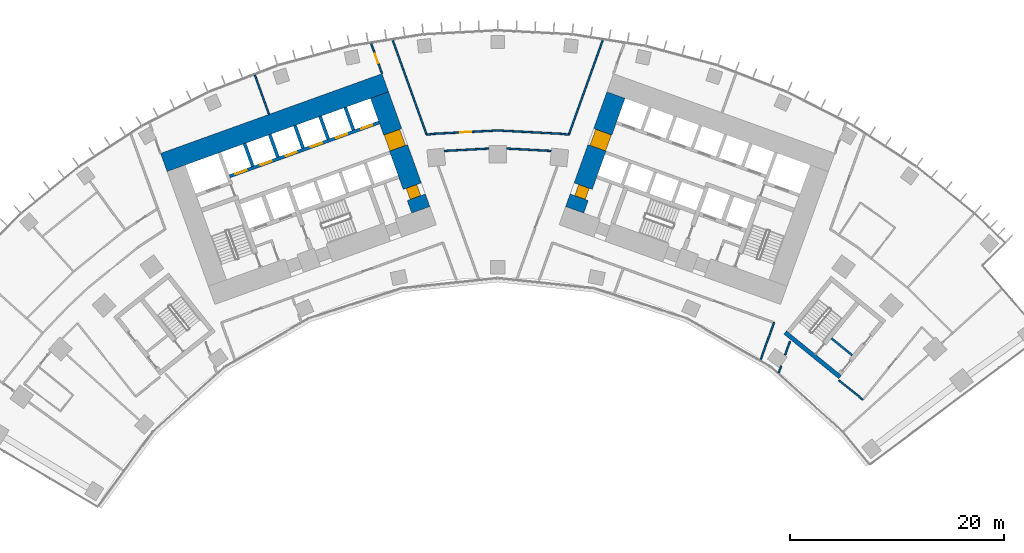
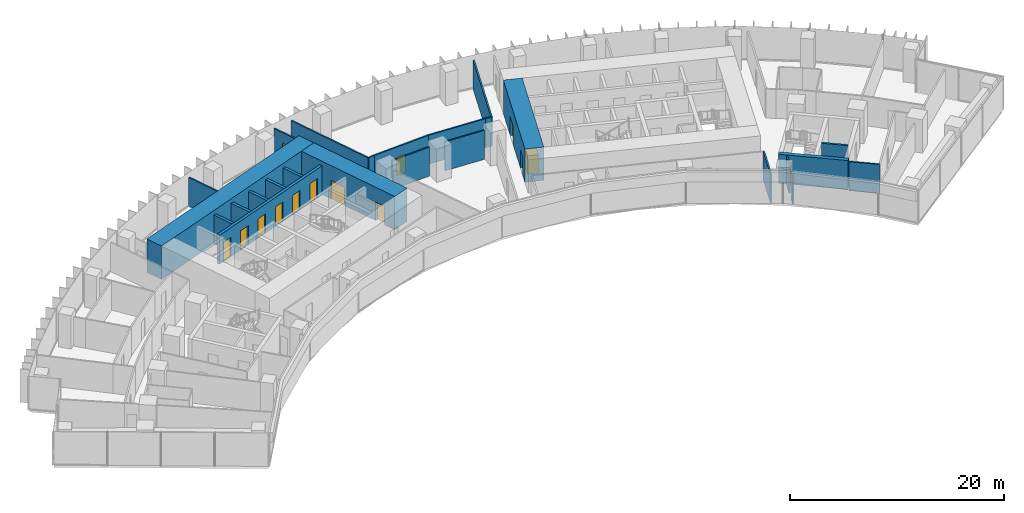
# One storey, part 19 of 24: 25 walls, 12 doors, 12 openings.
"""IFC4 building model written with IfcOpenShell, lengths in metres."""

from ifc_helpers import new_model, si_unit, direction, frame, frame_2d, origin, place, context, subcontext, project, spatial, rectangle, extrude, material, layer, layer_set, type_object, element, fill, save


model = new_model("IFC4")

# Units and contexts
model_context = context("Model", 3, precision=1e-05, world=origin(), true_north=direction((0.0, 1.0)))
body_context = subcontext(model_context, "Body", "Model", "MODEL_VIEW")
ifc_project = project(units=[si_unit("LENGTHUNIT", "METRE"), si_unit("AREAUNIT", "SQUARE_METRE"), si_unit("VOLUMEUNIT", "CUBIC_METRE"), si_unit("PLANEANGLEUNIT", "RADIAN"), si_unit("MASSUNIT", "GRAM", prefix="KILO")], contexts=[model_context])

# Site, building, storey
site_placement = place(None, origin())
site = spatial("IfcSite", under=ifc_project, at=site_placement, CompositionType="ELEMENT")
building_placement = place(site_placement, origin())
building = spatial("IfcBuilding", under=site, at=building_placement, Name="Stone Belt Terrace Tower", CompositionType="ELEMENT")
storey_placement = place(building_placement, frame((0.0, 0.0, 75.60009765625)))
storey = spatial("IfcBuildingStorey", under=building, at=storey_placement, Name="L18", CompositionType="ELEMENT", Elevation=75.60009765625)

# Wall
ifc_material_1 = material(Name="Concrete B80", Category="concrete")
ifc_layer_1 = layer(ifc_material_1, 1.800048828125)
ifc_layer_set_1 = layer_set([ifc_layer_1], Name="Core wall 1800 B80")
wall_type_1 = type_object("IfcWallType", Name="Core wall 1800 B80", PredefinedType="SHEAR", material=ifc_layer_set_1)
wall_1_placement = place(storey_placement, frame((-31.20947265625, 54.23583984375, 0.0), z_axis=(0.0, 0.0, 1.0), x_axis=(0.940922914687, 0.338620833112, 0.0)))
element("IfcWall", 1, at=wall_1_placement, inside=storey, type_object=wall_type_1, Name="Core A wall convex L18", PredefinedType="SHEAR", context=body_context, shape_type="SweptSolid", body=[
    extrude(rectangle(XDim=22.000244140625, YDim=1.800048828125, at=frame_2d((11.0, 0.0))), origin(), (0.0, 0.0, 1.0), 3.7998046875),
])

# Wall, openings, doors
wall_2_placement = place(storey_placement, frame((-7.19091796875, 49.8076171875, 0.0), z_axis=(0.0, 0.0, 1.0), x_axis=(-0.338632255135, 0.940918804033, 0.0)))
wall_2 = element("IfcWall", 2, at=wall_2_placement, inside=storey, type_object=wall_type_1, Name="Core A wall end_b L18", PredefinedType="SHEAR", context=body_context, shape_type="SweptSolid", body=[
    extrude(rectangle(XDim=11.39990234375, YDim=1.800048828125, at=frame_2d((5.699951171875, 0.0))), origin(), (0.0, 0.0, 1.0), 3.7998046875),
])
opening_1_placement = place(wall_2_placement, frame((6.14990234375, 0.0, 0.0)))
opening_1 = element("IfcOpeningElement", 3, at=opening_1_placement, cuts=wall_2, Name="Opening L18-C02", PredefinedType="OPENING", context=body_context, shape_type="SweptSolid", body=[
    extrude(rectangle(XDim=1.60009765625, YDim=2.10009765625, at=frame_2d((0.800048828125, 1.050048828125))), frame((0.0, 0.909912109375, 0.0), z_axis=(0.0, -1.0, 0.0), x_axis=(1.0, 0.0, 0.0)), (0.0, 0.0, 1.0), 1.820068359375),
])
opening_2_placement = place(wall_2_placement, frame((1.25, 0.0, 0.0)))
opening_2 = element("IfcOpeningElement", 4, at=opening_2_placement, cuts=wall_2, Name="Opening L18-C08", PredefinedType="OPENING", context=body_context, shape_type="SweptSolid", body=[
    extrude(rectangle(XDim=1.10009765625, YDim=2.10009765625, at=frame_2d((0.550048828125, 1.050048828125))), frame((0.0, 0.909912109375, 0.0), z_axis=(0.0, -1.0, 0.0), x_axis=(1.0, 0.0, 0.0)), (0.0, 0.0, 1.0), 1.820068359375),
])
ifc_material_2 = material(Name="Timber door leaf", Category="wood")
door_type_1 = type_object("IfcDoorType", Name="Core room door 1100", OperationType="SINGLE_SWING_LEFT", PredefinedType="DOOR", material=ifc_material_2)
door_1_placement = place(opening_2_placement, origin())
door_1 = element("IfcDoor", 5, at=door_1_placement, inside=storey, type_object=door_type_1, Name="Door to Cleaner's store core A", OperationType="SINGLE_SWING_LEFT", OverallHeight=2.10009765625, OverallWidth=1.10009765625, PredefinedType="DOOR", context=body_context, shape_type="SweptSolid", body=[
    extrude(rectangle(XDim=1.10009765625, YDim=2.10009765625, at=frame_2d((0.550048828125, 1.050048828125))), frame((0.0, 0.60498046875, 0.0), z_axis=(0.0, -1.0, 0.0), x_axis=(1.0, 0.0, 0.0)), (0.0, 0.0, 1.0), 1.050048828125),
])
fill(opening_2, door_1)
ifc_material_3 = material(Name="Glazed aluminium door leaf", Category="aluminium")
door_type_2 = type_object("IfcDoorType", Name="Lift lobby entrance door 1600", OperationType="DOUBLE_DOOR_SINGLE_SWING", PredefinedType="DOOR", material=ifc_material_3)
door_2_placement = place(opening_1_placement, origin())
door_2 = element("IfcDoor", 6, at=door_2_placement, inside=storey, type_object=door_type_2, Name="Lift lobby entrance door core A", OperationType="DOUBLE_DOOR_SINGLE_SWING", OverallHeight=2.10009765625, OverallWidth=1.60009765625, PredefinedType="DOOR", context=body_context, shape_type="SweptSolid", body=[
    extrude(rectangle(XDim=1.60009765625, YDim=2.10009765625, at=frame_2d((0.800048828125, 1.050048828125))), frame((0.0, 0.85498046875, 0.0), z_axis=(0.0, -1.0, 0.0), x_axis=(1.0, 0.0, 0.0)), (0.0, 0.0, 1.0), 1.550048828125),
])
fill(opening_1, door_2)

wall_3_placement = place(storey_placement, frame((7.19091796875, 49.8076171875, 0.0), z_axis=(0.0, 0.0, 1.0), x_axis=(0.338632255135, 0.940918804033, 0.0)))
wall_3 = element("IfcWall", 7, at=wall_3_placement, inside=storey, type_object=wall_type_1, Name="Core B wall end_a L18", PredefinedType="SHEAR", context=body_context, shape_type="SweptSolid", body=[
    extrude(rectangle(XDim=11.39990234375, YDim=1.800048828125, at=frame_2d((5.699951171875, 0.0))), origin(), (0.0, 0.0, 1.0), 3.7998046875),
])
opening_3_placement = place(wall_3_placement, frame((6.14990234375, 0.0, 0.0)))
opening_3 = element("IfcOpeningElement", 8, at=opening_3_placement, cuts=wall_3, Name="Opening L18-C11", PredefinedType="OPENING", context=body_context, shape_type="SweptSolid", body=[
    extrude(rectangle(XDim=1.60009765625, YDim=2.10009765625, at=frame_2d((0.800048828125, 1.050048828125))), frame((0.0, 0.909912109375, 0.0), z_axis=(0.0, -1.0, 0.0), x_axis=(1.0, 0.0, 0.0)), (0.0, 0.0, 1.0), 1.820068359375),
])
opening_4_placement = place(wall_3_placement, frame((1.25, 0.0, 0.0)))
opening_4 = element("IfcOpeningElement", 9, at=opening_4_placement, cuts=wall_3, Name="Opening L18-C17", PredefinedType="OPENING", context=body_context, shape_type="SweptSolid", body=[
    extrude(rectangle(XDim=1.10009765625, YDim=2.10009765625, at=frame_2d((0.550048828125, 1.050048828125))), frame((0.0, 0.909912109375, 0.0), z_axis=(0.0, -1.0, 0.0), x_axis=(1.0, 0.0, 0.0)), (0.0, 0.0, 1.0), 1.820068359375),
])
door_3_placement = place(opening_4_placement, origin())
door_3 = element("IfcDoor", 10, at=door_3_placement, inside=storey, type_object=door_type_1, Name="Door to Cleaner's store core B", OperationType="SINGLE_SWING_RIGHT", OverallHeight=2.10009765625, OverallWidth=1.10009765625, PredefinedType="DOOR", context=body_context, shape_type="SweptSolid", body=[
    extrude(rectangle(XDim=1.10009765625, YDim=2.10009765625, at=frame_2d((0.550048828125, 1.050048828125))), frame((0.0, 0.44482421875, 0.0), z_axis=(0.0, -1.0, 0.0), x_axis=(1.0, 0.0, 0.0)), (0.0, 0.0, 1.0), 1.050048828125),
])
fill(opening_4, door_3)
door_4_placement = place(opening_3_placement, origin())
door_4 = element("IfcDoor", 11, at=door_4_placement, inside=storey, type_object=door_type_2, Name="Lift lobby entrance door core B", OperationType="DOUBLE_DOOR_SINGLE_SWING", OverallHeight=2.10009765625, OverallWidth=1.60009765625, PredefinedType="DOOR", context=body_context, shape_type="SweptSolid", body=[
    extrude(rectangle(XDim=1.60009765625, YDim=2.10009765625, at=frame_2d((0.800048828125, 1.050048828125))), frame((0.0, 0.69482421875, 0.0), z_axis=(0.0, -1.0, 0.0), x_axis=(1.0, 0.0, 0.0)), (0.0, 0.0, 1.0), 1.550048828125),
])
fill(opening_3, door_4)

ifc_layer_2 = layer(ifc_material_1, 0.300048828125)
ifc_layer_set_2 = layer_set([ifc_layer_2], Name="Lift shaft wall 300")
wall_type_2 = type_object("IfcWallType", Name="Lift shaft wall 300", PredefinedType="SHEAR", material=ifc_layer_set_2)
wall_4_placement = place(storey_placement, frame((-25.05810546875, 52.9423828125, 0.0), z_axis=(0.0, 0.0, 1.0), x_axis=(0.940918215764, 0.338633889685, 0.0)))
wall_4 = element("IfcWall", 12, at=wall_4_placement, inside=storey, type_object=wall_type_2, Name="Core A wall", PredefinedType="SHEAR", context=body_context, shape_type="SweptSolid", body=[
    extrude(rectangle(XDim=14.850341796875, YDim=0.300048828125, at=frame_2d((7.42529296875, 0.0))), origin(), (0.0, 0.0, 1.0), 3.2998046875),
])
opening_5_placement = place(wall_4_placement, frame((0.570068359375, 0.0, 0.0)))
opening_5 = element("IfcOpeningElement", 13, at=opening_5_placement, cuts=wall_4, Name="Opening L18-LD01", PredefinedType="OPENING", context=body_context, shape_type="SweptSolid", body=[
    extrude(rectangle(XDim=1.10009765625, YDim=2.199951171875, at=frame_2d((0.550048828125, 1.10009765625))), frame((0.0, 0.159912109375, 0.0), z_axis=(0.0, -1.0, 0.0), x_axis=(1.0, 0.0, 0.0)), (0.0, 0.0, 1.0), 0.320068359375),
])
opening_6_placement = place(wall_4_placement, frame((3.070068359375, 0.0, 0.0)))
opening_6 = element("IfcOpeningElement", 14, at=opening_6_placement, cuts=wall_4, Name="Opening L18-LD02", PredefinedType="OPENING", context=body_context, shape_type="SweptSolid", body=[
    extrude(rectangle(XDim=1.10009765625, YDim=2.199951171875, at=frame_2d((0.550048828125, 1.10009765625))), frame((0.0, 0.159912109375, 0.0), z_axis=(0.0, -1.0, 0.0), x_axis=(1.0, 0.0, 0.0)), (0.0, 0.0, 1.0), 0.320068359375),
])
opening_7_placement = place(wall_4_placement, frame((5.570068359375, 0.0, 0.0)))
opening_7 = element("IfcOpeningElement", 15, at=opening_7_placement, cuts=wall_4, Name="Opening L18-LD03", PredefinedType="OPENING", context=body_context, shape_type="SweptSolid", body=[
    extrude(rectangle(XDim=1.10009765625, YDim=2.199951171875, at=frame_2d((0.550048828125, 1.10009765625))), frame((0.0, 0.159912109375, 0.0), z_axis=(0.0, -1.0, 0.0), x_axis=(1.0, 0.0, 0.0)), (0.0, 0.0, 1.0), 0.320068359375),
])
opening_8_placement = place(wall_4_placement, frame((8.070068359375, 0.0, 0.0)))
opening_8 = element("IfcOpeningElement", 16, at=opening_8_placement, cuts=wall_4, Name="Opening L18-LD04", PredefinedType="OPENING", context=body_context, shape_type="SweptSolid", body=[
    extrude(rectangle(XDim=1.10009765625, YDim=2.199951171875, at=frame_2d((0.550048828125, 1.10009765625))), frame((0.0, 0.159912109375, 0.0), z_axis=(0.0, -1.0, 0.0), x_axis=(1.0, 0.0, 0.0)), (0.0, 0.0, 1.0), 0.320068359375),
])
opening_9_placement = place(wall_4_placement, frame((10.570068359375, 0.0, 0.0)))
opening_9 = element("IfcOpeningElement", 17, at=opening_9_placement, cuts=wall_4, Name="Opening L18-LD05", PredefinedType="OPENING", context=body_context, shape_type="SweptSolid", body=[
    extrude(rectangle(XDim=1.10009765625, YDim=2.199951171875, at=frame_2d((0.550048828125, 1.10009765625))), frame((0.0, 0.159912109375, 0.0), z_axis=(0.0, -1.0, 0.0), x_axis=(1.0, 0.0, 0.0)), (0.0, 0.0, 1.0), 0.320068359375),
])
opening_10_placement = place(wall_4_placement, frame((13.070068359375, 0.0, 0.0)))
opening_10 = element("IfcOpeningElement", 18, at=opening_10_placement, cuts=wall_4, Name="Opening L18-LD06", PredefinedType="OPENING", context=body_context, shape_type="SweptSolid", body=[
    extrude(rectangle(XDim=1.10009765625, YDim=2.199951171875, at=frame_2d((0.550048828125, 1.10009765625))), frame((0.0, 0.159912109375, 0.0), z_axis=(0.0, -1.0, 0.0), x_axis=(1.0, 0.0, 0.0)), (0.0, 0.0, 1.0), 0.320068359375),
])
ifc_material_4 = material(Name="Stainless steel door leaf", Category="steel")
door_type_3 = type_object("IfcDoorType", Name="Landing door 1100", OperationType="SLIDING_TO_LEFT", PredefinedType="DOOR", material=ifc_material_4)
door_5_placement = place(opening_5_placement, origin())
door_5 = element("IfcDoor", 19, at=door_5_placement, inside=storey, type_object=door_type_3, Name="Landing door LR1 core A", OperationType="SLIDING_TO_LEFT", OverallHeight=2.199951171875, OverallWidth=1.10009765625, PredefinedType="DOOR", context=body_context, shape_type="SweptSolid", body=[
    extrude(rectangle(XDim=1.10009765625, YDim=2.199951171875, at=frame_2d((0.550048828125, 1.10009765625))), frame((0.0, 0.02490234375, 0.0), z_axis=(0.0, -1.0, 0.0), x_axis=(1.0, 0.0, 0.0)), (0.0, 0.0, 1.0), 0.050048828125),
])
fill(opening_5, door_5)
door_6_placement = place(opening_6_placement, origin())
door_6 = element("IfcDoor", 20, at=door_6_placement, inside=storey, type_object=door_type_3, Name="Landing door LR2 core A", OperationType="SLIDING_TO_LEFT", OverallHeight=2.199951171875, OverallWidth=1.10009765625, PredefinedType="DOOR", context=body_context, shape_type="SweptSolid", body=[
    extrude(rectangle(XDim=1.10009765625, YDim=2.199951171875, at=frame_2d((0.550048828125, 1.10009765625))), frame((0.0, 0.02490234375, 0.0), z_axis=(0.0, -1.0, 0.0), x_axis=(1.0, 0.0, 0.0)), (0.0, 0.0, 1.0), 0.050048828125),
])
fill(opening_6, door_6)
door_7_placement = place(opening_7_placement, origin())
door_7 = element("IfcDoor", 21, at=door_7_placement, inside=storey, type_object=door_type_3, Name="Landing door LR3 core A", OperationType="SLIDING_TO_LEFT", OverallHeight=2.199951171875, OverallWidth=1.10009765625, PredefinedType="DOOR", context=body_context, shape_type="SweptSolid", body=[
    extrude(rectangle(XDim=1.10009765625, YDim=2.199951171875, at=frame_2d((0.550048828125, 1.10009765625))), frame((0.0, 0.02490234375, 0.0), z_axis=(0.0, -1.0, 0.0), x_axis=(1.0, 0.0, 0.0)), (0.0, 0.0, 1.0), 0.050048828125),
])
fill(opening_7, door_7)
door_8_placement = place(opening_8_placement, origin())
door_8 = element("IfcDoor", 22, at=door_8_placement, inside=storey, type_object=door_type_3, Name="Landing door LR4 core A", OperationType="SLIDING_TO_LEFT", OverallHeight=2.199951171875, OverallWidth=1.10009765625, PredefinedType="DOOR", context=body_context, shape_type="SweptSolid", body=[
    extrude(rectangle(XDim=1.10009765625, YDim=2.199951171875, at=frame_2d((0.550048828125, 1.10009765625))), frame((0.0, 0.02490234375, 0.0), z_axis=(0.0, -1.0, 0.0), x_axis=(1.0, 0.0, 0.0)), (0.0, 0.0, 1.0), 0.050048828125),
])
fill(opening_8, door_8)
door_9_placement = place(opening_9_placement, origin())
door_9 = element("IfcDoor", 23, at=door_9_placement, inside=storey, type_object=door_type_3, Name="Landing door LR5 core A", OperationType="SLIDING_TO_LEFT", OverallHeight=2.199951171875, OverallWidth=1.10009765625, PredefinedType="DOOR", context=body_context, shape_type="SweptSolid", body=[
    extrude(rectangle(XDim=1.10009765625, YDim=2.199951171875, at=frame_2d((0.550048828125, 1.10009765625))), frame((0.0, 0.02490234375, 0.0), z_axis=(0.0, -1.0, 0.0), x_axis=(1.0, 0.0, 0.0)), (0.0, 0.0, 1.0), 0.050048828125),
])
fill(opening_9, door_9)
door_10_placement = place(opening_10_placement, origin())
door_10 = element("IfcDoor", 24, at=door_10_placement, inside=storey, type_object=door_type_3, Name="Landing door LR6 core A", OperationType="SLIDING_TO_LEFT", OverallHeight=2.199951171875, OverallWidth=1.10009765625, PredefinedType="DOOR", context=body_context, shape_type="SweptSolid", body=[
    extrude(rectangle(XDim=1.10009765625, YDim=2.199951171875, at=frame_2d((0.550048828125, 1.10009765625))), frame((0.0, 0.02490234375, 0.0), z_axis=(0.0, -1.0, 0.0), x_axis=(1.0, 0.0, 0.0)), (0.0, 0.0, 1.0), 0.050048828125),
])
fill(opening_10, door_10)

# Walls
wall_5_placement = place(storey_placement, frame((-22.897705078125, 53.87939453125, 0.0), z_axis=(0.0, 0.0, 1.0), x_axis=(-0.338535034312, 0.940953787677, 0.0)))
element("IfcWall", 25, at=wall_5_placement, inside=storey, type_object=wall_type_2, Name="Core A wall", PredefinedType="SHEAR", context=body_context, shape_type="SweptSolid", body=[
    extrude(rectangle(XDim=2.25, YDim=0.300048828125, at=frame_2d((1.125, 0.0))), origin(), (0.0, 0.0, 1.0), 3.2998046875),
])
wall_6_placement = place(storey_placement, frame((-20.54541015625, 54.72607421875, 0.0), z_axis=(0.0, 0.0, 1.0), x_axis=(-0.338569601369, 0.940941350472, 0.0)))
element("IfcWall", 26, at=wall_6_placement, inside=storey, type_object=wall_type_2, Name="Core A wall", PredefinedType="SHEAR", context=body_context, shape_type="SweptSolid", body=[
    extrude(rectangle(XDim=2.249755859375, YDim=0.300048828125, at=frame_2d((1.125, 0.0))), origin(), (0.0, 0.0, 1.0), 3.2998046875),
])
wall_7_placement = place(storey_placement, frame((-18.193115234375, 55.572509765625, 0.0), z_axis=(0.0, 0.0, 1.0), x_axis=(-0.338535034312, 0.940953787677, 0.0)))
element("IfcWall", 27, at=wall_7_placement, inside=storey, type_object=wall_type_2, Name="Core A wall", PredefinedType="SHEAR", context=body_context, shape_type="SweptSolid", body=[
    extrude(rectangle(XDim=2.25, YDim=0.300048828125, at=frame_2d((1.125, 0.0))), origin(), (0.0, 0.0, 1.0), 3.2998046875),
])
wall_8_placement = place(storey_placement, frame((-15.8408203125, 56.419189453125, 0.0), z_axis=(0.0, 0.0, 1.0), x_axis=(-0.338569601369, 0.940941350472, 0.0)))
element("IfcWall", 28, at=wall_8_placement, inside=storey, type_object=wall_type_2, Name="Core A wall", PredefinedType="SHEAR", context=body_context, shape_type="SweptSolid", body=[
    extrude(rectangle(XDim=2.249755859375, YDim=0.300048828125, at=frame_2d((1.125, 0.0))), origin(), (0.0, 0.0, 1.0), 3.2998046875),
])
wall_9_placement = place(storey_placement, frame((-13.48828125, 57.265625, 0.0), z_axis=(0.0, 0.0, 1.0), x_axis=(-0.338631098537, 0.940919220286, 0.0)))
element("IfcWall", 29, at=wall_9_placement, inside=storey, type_object=wall_type_2, Name="Core A wall", PredefinedType="SHEAR", context=body_context, shape_type="SweptSolid", body=[
    extrude(rectangle(XDim=2.250244140625, YDim=0.300048828125, at=frame_2d((1.125, 0.0))), origin(), (0.0, 0.0, 1.0), 3.2998046875),
])

# Wall, opening, door
ifc_material_5 = material(Name="Gypsum board partition")
ifc_layer_3 = layer(ifc_material_5, 0.14990234375)
ifc_layer_set_3 = layer_set([ifc_layer_3], Name="PARTITION 150 EI 60")
wall_type_3 = type_object("IfcWallType", Name="PARTITION 150 EI 60", PredefinedType="PARTITIONING", material=ifc_layer_set_3)
wall_10_placement = place(storey_placement, frame((-10.81396484375, 62.531982421875, 0.0), z_axis=(0.0, 0.0, 1.0), x_axis=(-0.338526810165, 0.940956746508, 0.0)))
wall_10 = element("IfcWall", 30, at=wall_10_placement, inside=storey, type_object=wall_type_3, Name="L18/wall/i009", PredefinedType="PARTITIONING", context=body_context, shape_type="SweptSolid", body=[
    extrude(rectangle(XDim=3.006591796875, YDim=0.14990234375, at=frame_2d((1.50341796875, 0.0))), origin(), (0.0, 0.0, 1.0), 3.2998046875),
])
opening_11_placement = place(wall_10_placement, frame((1.05322265625, 0.0, 0.0)))
opening_11 = element("IfcOpeningElement", 31, at=opening_11_placement, cuts=wall_10, Name="Opening D-A5-04", PredefinedType="OPENING", context=body_context, shape_type="SweptSolid", body=[
    extrude(rectangle(XDim=0.89990234375, YDim=2.10009765625, at=frame_2d((0.449951171875, 1.050048828125))), frame((0.0, 0.0849609375, 0.0), z_axis=(0.0, -1.0, 0.0), x_axis=(1.0, 0.0, 0.0)), (0.0, 0.0, 1.0), 0.169921875),
])
door_type_4 = type_object("IfcDoorType", Name="OFFICE DOOR 900 X 2100", OperationType="NOTDEFINED", PredefinedType="DOOR", material=ifc_material_2)
door_11_placement = place(opening_11_placement, origin())
door_11 = element("IfcDoor", 32, at=door_11_placement, inside=storey, type_object=door_type_4, Name="L18/door/i04", OperationType="SINGLE_SWING_RIGHT", OverallHeight=2.10009765625, OverallWidth=0.89990234375, PredefinedType="DOOR", context=body_context, shape_type="SweptSolid", body=[
    extrude(rectangle(XDim=0.89990234375, YDim=2.10009765625, at=frame_2d((0.449951171875, 1.050048828125))), frame((0.0, 0.02490234375, 0.0), z_axis=(0.0, -1.0, 0.0), x_axis=(1.0, 0.0, 0.0)), (0.0, 0.0, 1.0), 0.050048828125),
])
fill(opening_11, door_11)

# Walls
wall_11_placement = place(storey_placement, frame((-9.8212890625, 65.68115234375, 0.0), z_axis=(0.0, 0.0, 1.0), x_axis=(0.338561511742, -0.940944261243, 0.0)))
element("IfcWall", 33, at=wall_11_placement, inside=storey, type_object=wall_type_3, Name="L18/wall/i011", PredefinedType="PARTITIONING", context=body_context, shape_type="SweptSolid", body=[
    extrude(rectangle(XDim=9.4140625, YDim=0.14990234375, at=frame_2d((4.70703125, 0.0))), origin(), (0.0, 0.0, 1.0), 3.2998046875),
])
wall_12_placement = place(storey_placement, frame((-22.700927734375, 62.419189453125, 0.0), z_axis=(0.0, 0.0, 1.0), x_axis=(0.338604747602, -0.94092870341, 0.0)))
element("IfcWall", 34, at=wall_12_placement, inside=storey, type_object=wall_type_3, Name="L18/wall/i016", PredefinedType="PARTITIONING", context=body_context, shape_type="SweptSolid", body=[
    extrude(rectangle(XDim=3.918701171875, YDim=0.14990234375, at=frame_2d((1.95947265625, 0.0))), origin(), (0.0, 0.0, 1.0), 3.2998046875),
])
wall_13_placement = place(storey_placement, frame((6.634033203125, 56.822998046875, 0.0), z_axis=(0.0, 0.0, 1.0), x_axis=(0.338561511742, 0.940944261243, 0.0)))
element("IfcWall", 35, at=wall_13_placement, inside=storey, type_object=wall_type_3, Name="L18/wall/i020", PredefinedType="PARTITIONING", context=body_context, shape_type="SweptSolid", body=[
    extrude(rectangle(XDim=9.4140625, YDim=0.14990234375, at=frame_2d((4.70703125, 0.0))), origin(), (0.0, 0.0, 1.0), 3.2998046875),
])
wall_14_placement = place(storey_placement, frame((24.56494140625, 35.771728515625, 0.0), z_axis=(0.0, 0.0, 1.0), x_axis=(0.338392582605, 0.941005026574, 0.0)))
element("IfcWall", 36, at=wall_14_placement, inside=storey, type_object=wall_type_3, Name="L18/wall/i021", PredefinedType="PARTITIONING", context=body_context, shape_type="SweptSolid", body=[
    extrude(rectangle(XDim=3.729248046875, YDim=0.14990234375, at=frame_2d((1.86474609375, 0.0))), origin(), (0.0, 0.0, 1.0), 3.2998046875),
])
wall_15_placement = place(storey_placement, frame((27.320068359375, 37.52099609375, 0.0), z_axis=(0.0, 0.0, 1.0), x_axis=(-0.339003916963, -0.940784961765, 0.0)))
element("IfcWall", 37, at=wall_15_placement, inside=storey, type_object=wall_type_3, Name="L18/wall/i024", PredefinedType="PARTITIONING", context=body_context, shape_type="SweptSolid", body=[
    extrude(rectangle(XDim=1.36767578125, YDim=0.14990234375, at=frame_2d((0.683837890625, 0.0))), origin(), (0.0, 0.0, 1.0), 3.2998046875),
])
wall_16_placement = place(storey_placement, frame((26.490478515625, 35.21923828125, 0.0), z_axis=(0.0, 0.0, 1.0), x_axis=(-0.338920531705, -0.940815004764, 0.0)))
element("IfcWall", 38, at=wall_16_placement, inside=storey, type_object=wall_type_3, Name="L18/wall/i025", PredefinedType="PARTITIONING", context=body_context, shape_type="SweptSolid", body=[
    extrude(rectangle(XDim=0.68798828125, YDim=0.14990234375, at=frame_2d((0.343994140625, 0.0))), origin(), (0.0, 0.0, 1.0), 3.2998046875),
])
wall_17_placement = place(storey_placement, frame((34.133056640625, 32.055908203125, 0.0), z_axis=(0.0, 0.0, 1.0), x_axis=(-0.776369956068, 0.630277471686, 0.0)))
element("IfcWall", 39, at=wall_17_placement, inside=storey, type_object=wall_type_3, Name="L18/wall/i069", PredefinedType="PARTITIONING", context=body_context, shape_type="SweptSolid", body=[
    extrude(rectangle(XDim=2.8876953125, YDim=0.14990234375, at=frame_2d((1.44384765625, 0.0))), origin(), (0.0, 0.0, 1.0), 3.2998046875),
])
for number, where, z_axis, x_axis, name in (
    (40, (4.979248046875, 55.314453125, 0.0), (0.0, 0.0, 1.0), (-0.998634659291, 0.052238082501, 0.0), "L18/wall/i075"),
    (41, (-0.830078125, 55.531494140625, 0.0), (0.0, 0.0, 1.0), (-0.998634659291, -0.052238082501, 0.0), "L18/wall/i076"),
):
    element("IfcWall", number, at=place(storey_placement, frame(where, z_axis=z_axis, x_axis=x_axis)), inside=storey, type_object=wall_type_3, Name=name, PredefinedType="PARTITIONING", context=body_context, shape_type="SweptSolid", body=[
        extrude(rectangle(XDim=4.15478515625, YDim=0.14990234375, at=frame_2d((2.077392578125, 0.0))), origin(), (0.0, 0.0, 1.0), 3.2998046875),
    ])
wall_18_placement = place(storey_placement, frame((-6.635986328125, 56.8291015625, 0.0), z_axis=(0.0, 0.0, 1.0), x_axis=(0.992042541351, 0.125903122083, 0.0)))
element("IfcWall", 42, at=wall_18_placement, inside=storey, type_object=wall_type_3, Name="L18/wall/i077", PredefinedType="PARTITIONING", context=body_context, shape_type="SweptSolid", body=[
    extrude(rectangle(XDim=0.6591796875, YDim=0.14990234375, at=frame_2d((0.32958984375, 0.0))), origin(), (0.0, 0.0, 1.0), 3.2998046875),
])

# Wall, opening, door
wall_19_placement = place(storey_placement, frame((-5.98193359375, 56.912109375, 0.0), z_axis=(0.0, 0.0, 1.0), x_axis=(0.998633994648, 0.052250786921, 0.0)))
wall_19 = element("IfcWall", 43, at=wall_19_placement, inside=storey, type_object=wall_type_3, Name="L18/wall/i078", PredefinedType="PARTITIONING", context=body_context, shape_type="SweptSolid", body=[
    extrude(rectangle(XDim=5.990234375, YDim=0.14990234375, at=frame_2d((2.9951171875, 0.0))), origin(), (0.0, 0.0, 1.0), 3.2998046875),
])
opening_12_placement = place(wall_19_placement, frame((2.4951171875, 0.0, 0.0)))
opening_12 = element("IfcOpeningElement", 44, at=opening_12_placement, cuts=wall_19, Name="Opening D-A5-25", PredefinedType="OPENING", context=body_context, shape_type="SweptSolid", body=[
    extrude(rectangle(XDim=1.0, YDim=2.10009765625, at=frame_2d((0.5, 1.050048828125))), frame((0.0, 0.0849609375, 0.0), z_axis=(0.0, -1.0, 0.0), x_axis=(1.0, 0.0, 0.0)), (0.0, 0.0, 1.0), 0.169921875),
])
ifc_material_6 = material(Name="Timber fire door leaf", Category="wood")
door_type_5 = type_object("IfcDoorType", Name="TENANCY ENTRANCE DOOR 1000 X 2100", OperationType="NOTDEFINED", PredefinedType="DOOR", material=ifc_material_6)
door_12_placement = place(opening_12_placement, origin())
door_12 = element("IfcDoor", 45, at=door_12_placement, inside=storey, type_object=door_type_5, Name="L18/door/i25", OperationType="SINGLE_SWING_RIGHT", OverallHeight=2.10009765625, OverallWidth=1.0, PredefinedType="DOOR", context=body_context, shape_type="SweptSolid", body=[
    extrude(rectangle(XDim=1.0, YDim=2.10009765625, at=frame_2d((0.5, 1.050048828125))), frame((0.0, 0.02490234375, 0.0), z_axis=(0.0, -1.0, 0.0), x_axis=(1.0, 0.0, 0.0)), (0.0, 0.0, 1.0), 0.050048828125),
])
fill(opening_12, door_12)

# Walls
wall_20_placement = place(storey_placement, frame((0.0, 57.22509765625, 0.0), z_axis=(0.0, 0.0, 1.0), x_axis=(0.998633994648, -0.052250786921, 0.0)))
element("IfcWall", 46, at=wall_20_placement, inside=storey, type_object=wall_type_3, Name="L18/wall/i079", PredefinedType="PARTITIONING", context=body_context, shape_type="SweptSolid", body=[
    extrude(rectangle(XDim=5.990234375, YDim=0.14990234375, at=frame_2d((2.9951171875, 0.0))), origin(), (0.0, 0.0, 1.0), 3.2998046875),
])
wall_21_placement = place(storey_placement, frame((5.98193359375, 56.912109375, 0.0), z_axis=(0.0, 0.0, 1.0), x_axis=(0.992042541351, -0.125903122083, 0.0)))
element("IfcWall", 47, at=wall_21_placement, inside=storey, type_object=wall_type_3, Name="L18/wall/i080", PredefinedType="PARTITIONING", context=body_context, shape_type="SweptSolid", body=[
    extrude(rectangle(XDim=0.6591796875, YDim=0.14990234375, at=frame_2d((0.32958984375, 0.0))), origin(), (0.0, 0.0, 1.0), 3.2998046875),
])
ifc_material_7 = material(Name="Concrete masonry block", Category="masonry")
ifc_layer_4 = layer(ifc_material_7, 0.199951171875)
ifc_layer_set_4 = layer_set([ifc_layer_4], Name="Rated lobby wall 200")
wall_type_4 = type_object("IfcWallType", Name="Rated lobby wall 200", PredefinedType="PARTITIONING", material=ifc_layer_set_4)
wall_22_placement = place(storey_placement, frame((31.190673828125, 37.79296875, 0.0), z_axis=(0.0, 0.0, 1.0), x_axis=(0.776370830301, -0.630276394813, 0.0)))
element("IfcWall", 48, at=wall_22_placement, inside=storey, type_object=wall_type_4, Name="Exit stair ST3B wall", PredefinedType="PARTITIONING", context=body_context, shape_type="SweptSolid", body=[
    extrude(rectangle(XDim=2.5, YDim=0.199951171875, at=frame_2d((1.25, 0.0))), origin(), (0.0, 0.0, 1.0), 3.2998046875),
])
ifc_layer_5 = layer(ifc_material_1, 0.39990234375)
ifc_layer_set_5 = layer_set([ifc_layer_5], Name="Stair enclosure wall 400")
wall_type_5 = type_object("IfcWallType", Name="Stair enclosure wall 400", PredefinedType="SHEAR", material=ifc_layer_set_5)
wall_23_placement = place(storey_placement, frame((26.868408203125, 38.3388671875, 0.0), z_axis=(0.0, 0.0, 1.0), x_axis=(0.776428452498, -0.630205409491, 0.0)))
element("IfcWall", 49, at=wall_23_placement, inside=storey, type_object=wall_type_5, Name="Exit stair ST3B wall", PredefinedType="SHEAR", context=body_context, shape_type="SweptSolid", body=[
    extrude(rectangle(XDim=6.60009765625, YDim=0.39990234375, at=frame_2d((3.300048828125, 0.0))), origin(), (0.0, 0.0, 1.0), 3.2998046875),
])

save(model, "model.ifc")
